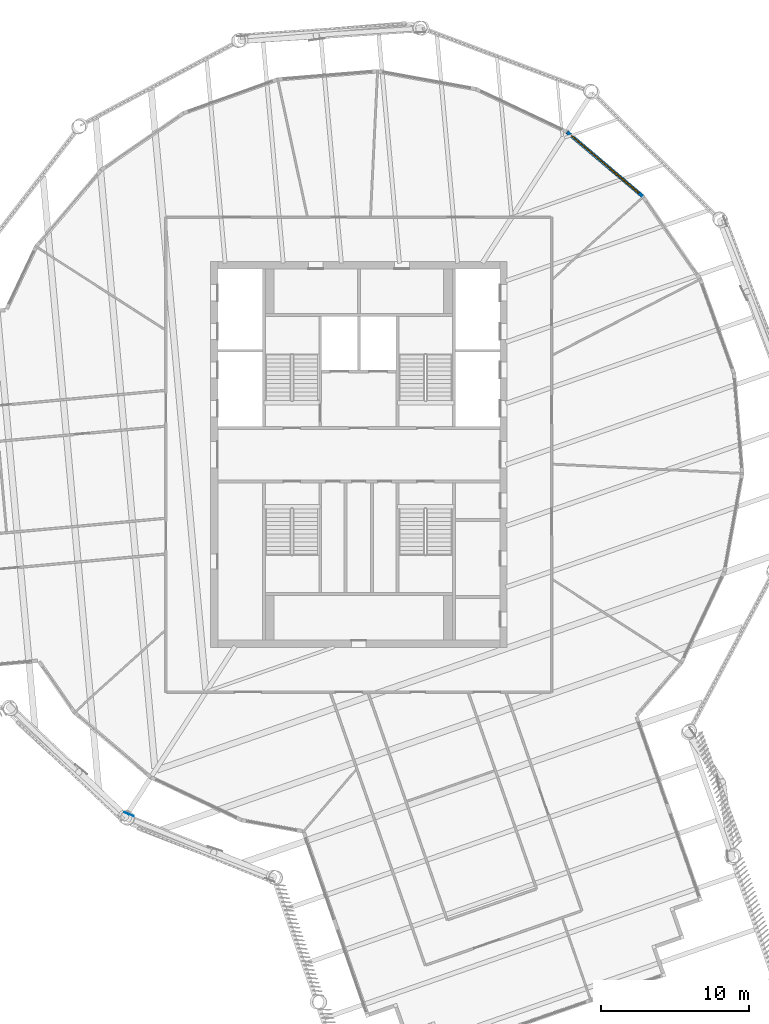
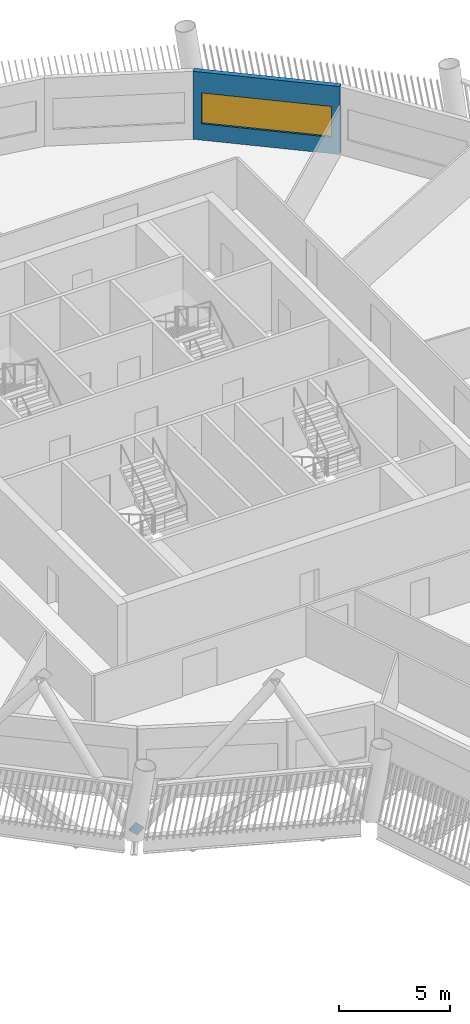
# One storey, part 7 of 23: 1 discrete accessory, 1 wall, 1 window, 1 opening.
"""IFC4 building model written with IfcOpenShell, lengths in metres."""

from ifc_helpers import new_model, si_unit, direction, frame, frame_2d, origin, origin_2d, place, context, subcontext, project, spatial, rectangle, extrude, material, layer, layer_set, material_profile, profile_set, type_object, element, fill, save


model = new_model("IFC4")

# Units and contexts
model_context = context("Model", 3, precision=1e-05, world=origin(), true_north=direction((0.0, 1.0)))
body_context = subcontext(model_context, "Body", "Model", "MODEL_VIEW")
ifc_project = project(units=[si_unit("LENGTHUNIT", "METRE"), si_unit("AREAUNIT", "SQUARE_METRE"), si_unit("VOLUMEUNIT", "CUBIC_METRE"), si_unit("PLANEANGLEUNIT", "RADIAN"), si_unit("MASSUNIT", "GRAM", prefix="KILO")], contexts=[model_context])

# Site, building, storey
site_placement = place(None, origin())
site = spatial("IfcSite", under=ifc_project, at=site_placement, CompositionType="ELEMENT")
building_placement = place(site_placement, origin())
building = spatial("IfcBuilding", under=site, at=building_placement, Name="Tarsis Ring Headquarters", CompositionType="ELEMENT")
storey_placement = place(building_placement, frame((0.0, 0.0, 308.0)))
storey = spatial("IfcBuildingStorey", under=building, at=storey_placement, Name="L72", CompositionType="ELEMENT", Elevation=308.0)

# Wall, opening, window
ifc_material_1 = material(Name="Terracotta clad insulated panel wall", Category="masonry")
ifc_layer = layer(ifc_material_1, 0.25)
ifc_layer_set = layer_set([ifc_layer], Name="Facade wall terracotta panel 250")
wall_type = type_object("IfcWallType", Name="Facade wall terracotta panel 250", PredefinedType="STANDARD", material=ifc_layer_set)
wall_placement = place(storey_placement, frame((19.155029296875, 17.390625, 0.0), z_axis=(0.0, 0.0, 1.0), x_axis=(-0.762679061927, 0.646777124285, 0.0)))
wall = element("IfcWall", 1, at=wall_placement, inside=storey, type_object=wall_type, Name="External wall L72-23", PredefinedType="STANDARD", context=body_context, shape_type="SweptSolid", body=[
    extrude(rectangle(XDim=6.7216796875, YDim=0.25, at=frame_2d((3.36083984375, 0.0))), origin(), (0.0, 0.0, 1.0), 3.739990234375),
])
opening_placement = place(wall_placement, frame((0.3857421875, 0.0, 0.89990234375)))
opening = element("IfcOpeningElement", 2, at=opening_placement, cuts=wall, Name="Opening WN07", PredefinedType="OPENING", context=body_context, shape_type="SweptSolid", body=[
    extrude(rectangle(XDim=5.949951171875, YDim=1.699951171875, at=frame_2d((2.97509765625, 0.85009765625))), frame((0.0, 0.135009765625, 0.0), z_axis=(0.0, -1.0, 0.0), x_axis=(1.0, 0.0, 0.0)), (0.0, 0.0, 1.0), 0.27001953125),
])
ifc_material_2 = material(Name="Aluminium framed double glazing", Category="aluminium")
window_type = type_object("IfcWindowType", Name="Facade window 5950 x 1700", PartitioningType="SINGLE_PANEL", PredefinedType="WINDOW", material=ifc_material_2)
window_placement = place(opening_placement, origin())
window = element("IfcWindow", 3, at=window_placement, inside=storey, type_object=window_type, Name="Window L72-23.1", OverallHeight=1.699951171875, OverallWidth=5.949951171875, PartitioningType="SINGLE_PANEL", PredefinedType="WINDOW", context=body_context, shape_type="SweptSolid", body=[
    extrude(rectangle(XDim=5.949951171875, YDim=1.699951171875, at=frame_2d((2.97509765625, 0.85009765625))), frame((0.0, 0.030029296875, 0.0), z_axis=(0.0, -1.0, 0.0), x_axis=(1.0, 0.0, 0.0)), (0.0, 0.0, 1.0), 0.06005859375),
])
fill(opening, window)

# Discrete accessory
ifc_material_3 = material(Name="Structural steel S355", Category="steel")
ifc_material_profile = material_profile(ifc_material_3, rectangle(XDim=0.02490234375, YDim=0.5, at=origin_2d()), Name="PL 25x500")
ifc_profile_set = profile_set([ifc_material_profile], Name="Structural steel S355")
discrete_accessory_type = type_object("IfcDiscreteAccessoryType", Name="Gusset plate Exo brace 25", PredefinedType="BRACKET", material=ifc_profile_set)
discrete_accessory_placement = place(storey_placement, frame((-15.63623046875, -24.169921875, 0.0), z_axis=(0.589406411423, -0.237813523085, 0.772039383977), x_axis=(0.374170850314, 0.927359787124, 0.0)))
element("IfcDiscreteAccessory", 4, at=discrete_accessory_placement, inside=storey, type_object=discrete_accessory_type, Name="Gusset plate GP5", PredefinedType="BRACKET", context=body_context, shape_type="SweptSolid", body=[
    extrude(rectangle(XDim=0.02490234375, YDim=0.5, at=origin_2d()), origin(), (0.0, 0.0, 1.0), 0.5),
])

save(model, "model.ifc")
